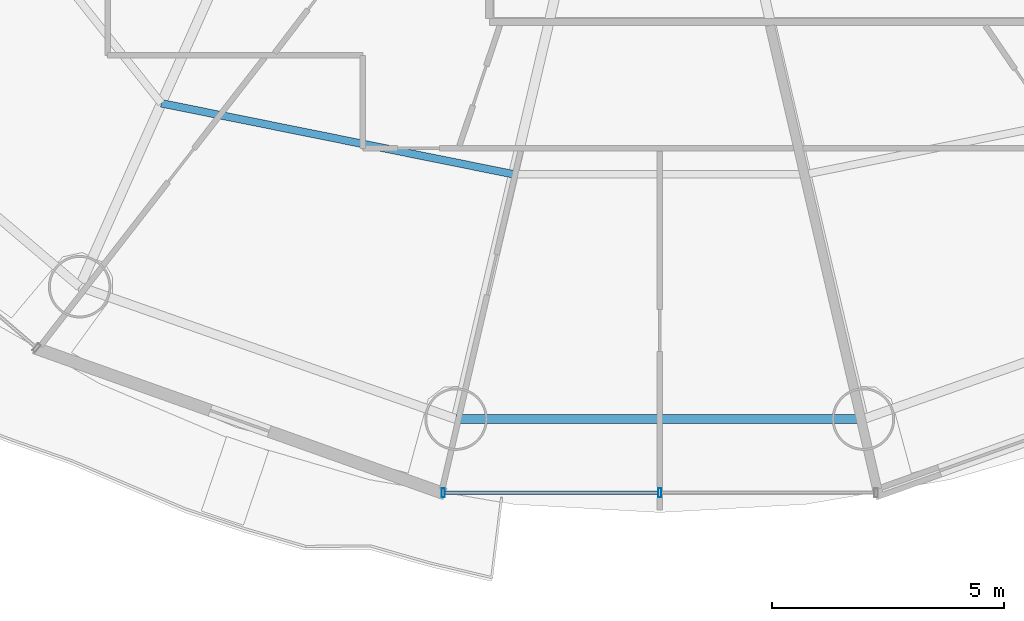
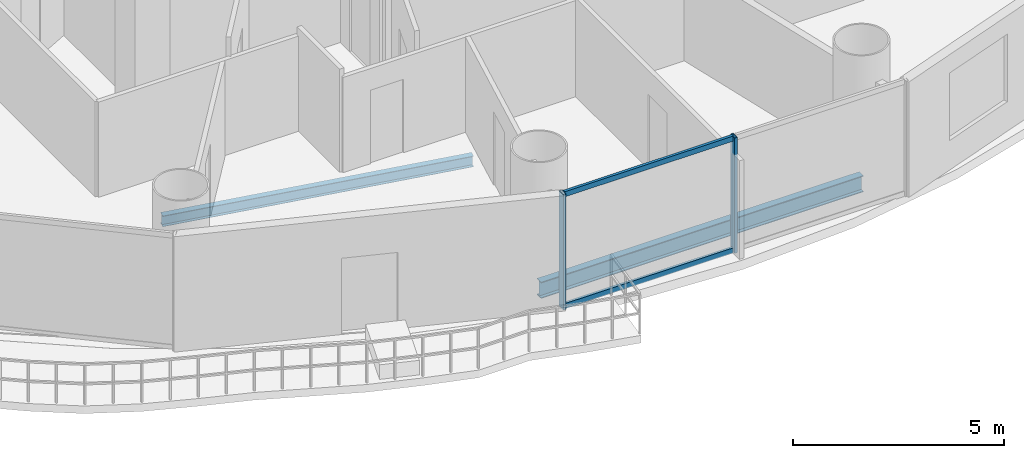
# One storey, part 4 of 26: 4 members, 2 beams, 1 element without a shape of its own.
"""IFC4 building model written with IfcOpenShell, lengths in metres."""

import ifcopenshell
import ifcopenshell.guid

model = None  # the IFC model being written
_history = None  # IfcOwnerHistory: only IFC2X3 demands one
_inside = {}  # id of a spatial element -> (the spatial element, [elements in it])
_under = {}  # id of a project, library or spatial element -> (it, [spatial elements below it])
_declared = {}  # id of a project -> (the project, [libraries it declares])
_typed = {}  # id of a type object -> (the type object, [elements of that type])
_made_of = {}  # id of a material, layer set ... -> (it, [elements and type objects made of it])


def new_model(schema):
    """Start an empty IFC model of exactly this schema.

    Asked for "IFC4X3", IfcOpenShell would pick the latest addendum, in which some entities
    have other attributes; the version numbers below select the first issue.
    IFC2X3 requires an IfcOwnerHistory on every rooted entity: one is made here for all.
    """
    global model, _history
    if schema == "IFC4X3":
        model = ifcopenshell.file(schema_version=(4, 3, 0, 0))
    else:
        model = ifcopenshell.file(schema=schema)
    _inside.clear()
    _under.clear()
    _declared.clear()
    _typed.clear()
    _made_of.clear()
    _history = None
    if model.schema == "IFC2X3":
        org = make("IfcOrganization", Name="unknown")
        user = make(
            "IfcPersonAndOrganization",
            ThePerson=make("IfcPerson", FamilyName="unknown"),
            TheOrganization=org,
        )
        app = make(
            "IfcApplication",
            ApplicationDeveloper=org,
            Version="unknown",
            ApplicationFullName="unknown",
            ApplicationIdentifier="unknown",
        )
        _history = make(
            "IfcOwnerHistory",
            OwningUser=user,
            OwningApplication=app,
            ChangeAction="ADDED",
            CreationDate=0,
        )
    return model


def make(cls, **values):
    """One entity of the class cls with the attributes given. An attribute that is None is left unset."""
    return model.create_entity(
        cls, **{name: value for name, value in values.items() if value is not None}
    )


def rooted(cls, **values):
    """An entity with a GlobalId (a new one), such as an element, a storey or a relation."""
    return make(cls, GlobalId=ifcopenshell.guid.new(), OwnerHistory=_history, **values)


def si_unit(unit_type, name, prefix=None):
    """IfcSIUnit, for example si_unit("LENGTHUNIT", "METRE", prefix="MILLI")."""
    return make("IfcSIUnit", UnitType=unit_type, Prefix=prefix, Name=name)


def assignment(units):
    """IfcUnitAssignment: the units of a project."""
    return None if units is None else make("IfcUnitAssignment", Units=units)


def point(xyz):
    """IfcCartesianPoint."""
    return None if xyz is None else make("IfcCartesianPoint", Coordinates=xyz)


def direction(xyz):
    """IfcDirection."""
    return None if xyz is None else make("IfcDirection", DirectionRatios=xyz)


def frame(location, z_axis=None, x_axis=None):
    """IfcAxis2Placement3D, a coordinate frame: its origin and axes. An axis left out is left unset."""
    return make(
        "IfcAxis2Placement3D",
        Location=point(location),
        Axis=direction(z_axis),
        RefDirection=direction(x_axis),
    )


def frame_2d(location, x_axis=None):
    """IfcAxis2Placement2D, a coordinate frame in the plane: its origin and x axis."""
    return make(
        "IfcAxis2Placement2D", Location=point(location), RefDirection=direction(x_axis)
    )


def origin():
    """The frame at (0, 0, 0) with its axes left unset."""
    return frame((0.0, 0.0, 0.0))


def origin_2d():
    """The frame at (0, 0) in the plane with its x axis left unset."""
    return frame_2d((0.0, 0.0))


def place(relative_to, where):
    """IfcLocalPlacement: puts the frame where relative to a parent placement (None: the world)."""
    return make(
        "IfcLocalPlacement", PlacementRelTo=relative_to, RelativePlacement=where
    )


def context(
    kind, dimensions, precision=None, world=None, true_north=None, identifier=None
):
    """IfcGeometricRepresentationContext, for example the 3D "Model" context."""
    return make(
        "IfcGeometricRepresentationContext",
        ContextIdentifier=identifier,
        ContextType=kind,
        CoordinateSpaceDimension=dimensions,
        Precision=precision,
        WorldCoordinateSystem=world,
        TrueNorth=true_north,
    )


def subcontext(parent, identifier, kind, view, scale=None):
    """IfcGeometricRepresentationSubContext, for example "Body" below "Model"."""
    return make(
        "IfcGeometricRepresentationSubContext",
        ContextIdentifier=identifier,
        ContextType=kind,
        ParentContext=parent,
        TargetScale=scale,
        TargetView=view,
    )


def project(units=None, contexts=None):
    """IfcProject with its units and contexts."""
    return rooted(
        "IfcProject",
        Name="project",
        RepresentationContexts=contexts,
        UnitsInContext=assignment(units),
    )


def spatial(cls, under=None, at=None, **own):
    """A site, building, storey or space (cls), placed at a placement, below another one or the project."""
    s = rooted(cls, ObjectPlacement=at, **own)
    if under is not None:
        _under.setdefault(under.id(), (under, []))[1].append(s)
    return s


def profile(cls, at=None, kind="AREA", **sizes):
    """A parametric profile (cls). Its sizes go by their IFC names, for example OverallWidth=200.0."""
    return make(cls, ProfileType=kind, Position=at, **sizes)


def hollow_rectangle(**sizes):
    """IfcRectangleHollowProfileDef."""
    return profile("IfcRectangleHollowProfileDef", **sizes)


def i_section(**sizes):
    """IfcIShapeProfileDef."""
    return profile("IfcIShapeProfileDef", **sizes)


def extrude(swept, where, along, depth):
    """IfcExtrudedAreaSolid: the profile swept, set in the frame where, extruded along a direction by depth."""
    return make(
        "IfcExtrudedAreaSolid",
        SweptArea=swept,
        Position=where,
        ExtrudedDirection=direction(along),
        Depth=depth,
    )


def shape(context_of_items, identifier, shape_type, items):
    """IfcShapeRepresentation: the items that make up one representation, for example the "Body"."""
    return make(
        "IfcShapeRepresentation",
        ContextOfItems=context_of_items,
        RepresentationIdentifier=identifier,
        RepresentationType=shape_type,
        Items=items,
    )


def source(mapping_origin, context_of_items, identifier, shape_type, items):
    """IfcRepresentationMap: a shape defined once, which mapped items show again and again."""
    return make(
        "IfcRepresentationMap",
        MappingOrigin=mapping_origin,
        MappedRepresentation=shape(context_of_items, identifier, shape_type, items),
    )


def transform(
    local_origin,
    x_axis=None,
    y_axis=None,
    z_axis=None,
    scale=None,
    scale2=None,
    scale3=None,
    uniform=True,
):
    """IfcCartesianTransformationOperator3D, or its non-uniform kind. x_axis, y_axis, z_axis: its Axis1, 2, 3."""
    if uniform:
        return make(
            "IfcCartesianTransformationOperator3D",
            Axis1=direction(x_axis),
            Axis2=direction(y_axis),
            LocalOrigin=point(local_origin),
            Scale=scale,
            Axis3=direction(z_axis),
        )
    return make(
        "IfcCartesianTransformationOperator3DnonUniform",
        Axis1=direction(x_axis),
        Axis2=direction(y_axis),
        LocalOrigin=point(local_origin),
        Scale=scale,
        Axis3=direction(z_axis),
        Scale2=scale2,
        Scale3=scale3,
    )


def mapped(mapping_source, mapping_target):
    """IfcMappedItem: shows the shape of a source again, moved by a transform."""
    return make(
        "IfcMappedItem", MappingSource=mapping_source, MappingTarget=mapping_target
    )


def material(Name=None, Category=None):
    """IfcMaterial."""
    return make("IfcMaterial", Name=Name, Category=Category)


def material_profile(
    of_material, cross_section, Name=None, Category=None, Priority=None
):
    """IfcMaterialProfile: a cross section and its material."""
    return make(
        "IfcMaterialProfile",
        Name=Name,
        Material=of_material,
        Profile=cross_section,
        Priority=Priority,
        Category=Category,
    )


def profile_set(profiles, Name=None, composite=None):
    """IfcMaterialProfileSet."""
    return make(
        "IfcMaterialProfileSet",
        Name=Name,
        MaterialProfiles=profiles,
        CompositeProfile=composite,
    )


def made_of(thing, what):
    """Note that an element or type object is made of a material, layer set ...; save() writes the relation."""
    if what is not None:
        _made_of.setdefault(what.id(), (what, []))[1].append(thing)
    return thing


def type_object(cls, material=None, **own):
    """A type object (cls), such as IfcWallType, which elements share."""
    return made_of(rooted(cls, **own), material)


def element(
    cls,
    number,
    at=None,
    inside=None,
    cuts=None,
    type_object=None,
    material=None,
    context=None,
    identifier="Body",
    shape_type=None,
    held_by="IfcProductDefinitionShape",
    body=None,
    shapes=None,
    **own,
):
    """One element of the class cls, such as IfcWall. Its Tag is "e" and its number.

    at: its placement. inside: the storey or other place that contains it. cuts: it is an
    opening in that element (IfcRelVoidsElement). A single representation is given by context,
    identifier, shape_type and body (its items); several are given by shapes. held_by: the class
    of the entity that holds the representations. save() writes the other relations.
    """
    e = rooted(cls, Tag="e%d" % number, ObjectPlacement=at, **own)
    if body is not None:
        shapes = [shape(context, identifier, shape_type, body)]
    if shapes is not None:
        e.Representation = make(held_by, Representations=shapes)
    if inside is not None:
        _inside.setdefault(inside.id(), (inside, []))[1].append(e)
    if cuts is not None:
        rooted(
            "IfcRelVoidsElement", RelatingBuildingElement=cuts, RelatedOpeningElement=e
        )
    if type_object is not None:
        _typed.setdefault(type_object.id(), (type_object, []))[1].append(e)
    return made_of(e, material)


def aggregate(whole, parts):
    """IfcRelAggregates: a whole, such as a stair, and the parts it consists of."""
    return rooted("IfcRelAggregates", RelatingObject=whole, RelatedObjects=parts)


def save(model, path):
    """Write the relations noted so far, then the file.

    IfcRelAggregates (storeys below a building ...), IfcRelContainedInSpatialStructure (elements
    in a storey), IfcRelDefinesByType, IfcRelAssociatesMaterial and IfcRelDeclares: one each for
    every whole, place, type object, material and project.
    """
    for whole, parts in _under.values():
        aggregate(whole, parts)
    for where, things in _inside.values():
        rooted(
            "IfcRelContainedInSpatialStructure",
            RelatedElements=things,
            RelatingStructure=where,
        )
    for kind, things in _typed.values():
        rooted("IfcRelDefinesByType", RelatedObjects=things, RelatingType=kind)
    for what, things in _made_of.values():
        rooted("IfcRelAssociatesMaterial", RelatedObjects=things, RelatingMaterial=what)
    for by, libraries in _declared.values():
        rooted("IfcRelDeclares", RelatingContext=by, RelatedDefinitions=libraries)
    model.write(path)


model = new_model("IFC4")

# Units and contexts
model_context = context("Model", 3, precision=1e-05, world=origin(), true_north=direction((-0.2419218956, 0.970295726276)))
body_context = subcontext(model_context, "Body", "Model", "MODEL_VIEW")
ifc_project = project(units=[si_unit("LENGTHUNIT", "METRE"), si_unit("AREAUNIT", "SQUARE_METRE"), si_unit("VOLUMEUNIT", "CUBIC_METRE"), si_unit("PLANEANGLEUNIT", "RADIAN"), si_unit("MASSUNIT", "GRAM", prefix="KILO")], contexts=[model_context])

# Site, building, storey
site_placement = place(None, origin())
site = spatial("IfcSite", under=ifc_project, at=site_placement, CompositionType="ELEMENT")
building_placement = place(site_placement, origin())
building = spatial("IfcBuilding", under=site, at=building_placement, Name="Cobrevalo Terracotta Tower", CompositionType="ELEMENT")
storey_placement = place(building_placement, frame((0.0, 0.0, 135.39990234375)))
storey = spatial("IfcBuildingStorey", under=building, at=storey_placement, Name="L35", CompositionType="ELEMENT", Elevation=135.39990234375)

# Beams
ifc_material_1 = material(Name="Steel S355", Category="steel")
ifc_material_profile_1 = material_profile(ifc_material_1, i_section(OverallWidth=0.1650390625, OverallDepth=0.31005859375, WebThickness=0.005859375, FlangeThickness=0.009765625, at=origin_2d()), Name="W 310x38.7")
ifc_profile_set_1 = profile_set([ifc_material_profile_1], Name="Steel S355")
beam_type_1 = type_object("IfcBeamType", Name="Structural Joist W 310x38.7 (Steel S355)", PredefinedType="JOIST", material=ifc_profile_set_1)
beam_1_placement = place(storey_placement, frame((27.23583984375, 14.838623046875, -0.4248046875), z_axis=(0.980293928329, -0.197544461026, 0.0), x_axis=(0.197544461026, 0.980293928329, 0.0)))
element("IfcBeam", 1, at=beam_1_placement, inside=storey, type_object=beam_type_1, Name="L35 circumferential secondary floor joist 11", PredefinedType="JOIST", context=body_context, shape_type="SweptSolid", body=[
    extrude(i_section(OverallWidth=0.1650390625, OverallDepth=0.31005859375, WebThickness=0.005859375, FlangeThickness=0.009765625, at=origin_2d()), origin(), (0.0, 0.0, 1.0), 7.75634765625),
])
ifc_material_profile_2 = material_profile(ifc_material_1, i_section(OverallWidth=0.194091796875, OverallDepth=0.468994140625, WebThickness=0.011474609375, FlangeThickness=0.0205078125, at=origin_2d()), Name="W 460x106")
ifc_profile_set_2 = profile_set([ifc_material_profile_2], Name="Steel S355")
beam_type_2 = type_object("IfcBeamType", Name="Structural Spandrel W 460x106 (Steel S355)", PredefinedType="SPANDREL", material=ifc_profile_set_2)
beam_2_placement = place(storey_placement, frame((33.600830078125, 8.01806640625, -0.50439453125), z_axis=(1.0, 0.0, 0.0), x_axis=(0.0, 1.0, 0.0)))
element("IfcBeam", 2, at=beam_2_placement, inside=storey, type_object=beam_type_2, Name="L35 perimeter ring spandrel 12", PredefinedType="SPANDREL", context=body_context, shape_type="SweptSolid", body=[
    extrude(i_section(OverallWidth=0.194091796875, OverallDepth=0.468994140625, WebThickness=0.011474609375, FlangeThickness=0.0205078125, at=origin_2d()), origin(), (0.0, 0.0, 1.0), 8.79833984375),
])

# Curtain wall, members
ifc_material_2 = material(Name="Anodized aluminium", Category="aluminium")
curtain_wall_type = type_object("IfcCurtainWallType", Name="Mid-tower high-wind unitised curtain wall CW-U2", PredefinedType="NOTDEFINED", material=ifc_material_2)
curtain_wall_placement = place(storey_placement, origin())
curtain_wall = element("IfcCurtainWall", 3, at=curtain_wall_placement, inside=storey, type_object=curtain_wall_type, Name="L35 curtain wall CW-L35-S12", PredefinedType="NOTDEFINED")
ifc_material_profile_3 = material_profile(ifc_material_2, hollow_rectangle(XDim=0.074951171875, YDim=0.199951171875, WallThickness=0.0048828125, at=origin_2d()), Name="CWM 75x200")
ifc_profile_set_3 = profile_set([ifc_material_profile_3], Name="Anodized aluminium")
member_type_1 = type_object("IfcMemberType", Name="Lower/mid tower unitised mullion 75x200", PredefinedType="MULLION", material=ifc_profile_set_3)
shared_shape_1 = source(origin(), body_context, "Body", "SweptSolid", [
    extrude(hollow_rectangle(XDim=0.074951171875, YDim=0.199951171875, WallThickness=0.0048828125, at=origin_2d()), origin(), (0.0, 0.0, 1.0), 3.330078125),
])
member_1_placement = place(storey_placement, frame((33.32470703125, 6.42919921875, 0.0), z_axis=(0.0, 0.0, 1.0), x_axis=(1.0, 0.0, 0.0)))
member_1 = element("IfcMember", 4, at=member_1_placement, type_object=member_type_1, Name="CW-L35-S12 vertical mullion 01", PredefinedType="MULLION", context=body_context, shape_type="MappedRepresentation", body=[
    mapped(shared_shape_1, transform((0.0, 0.0, 0.0), scale=1.0)),
])
member_2_placement = place(storey_placement, frame((38.0, 6.42919921875, 0.0), z_axis=(0.0, 0.0, 1.0), x_axis=(1.0, 0.0, 0.0)))
member_2 = element("IfcMember", 5, at=member_2_placement, type_object=member_type_1, Name="CW-L35-S12 vertical mullion 02", PredefinedType="MULLION", context=body_context, shape_type="MappedRepresentation", body=[
    mapped(shared_shape_1, transform((0.0, 0.0, 0.0), scale=1.0)),
])
ifc_material_profile_4 = material_profile(ifc_material_2, hollow_rectangle(XDim=0.074951171875, YDim=0.14990234375, WallThickness=0.00439453125, at=origin_2d()), Name="CWT 75x150")
ifc_profile_set_4 = profile_set([ifc_material_profile_4], Name="Anodized aluminium")
member_type_2 = type_object("IfcMemberType", Name="Tower unitised aluminium transom 75x150", PredefinedType="USERDEFINED", material=ifc_profile_set_4)
shared_shape_2 = source(origin(), body_context, "Body", "SweptSolid", [
    extrude(hollow_rectangle(XDim=0.074951171875, YDim=0.14990234375, WallThickness=0.00439453125, at=origin_2d()), origin(), (0.0, 0.0, 1.0), 4.59521484375),
])
member_3_placement = place(storey_placement, frame((33.36474609375, 6.42919921875, 0.050048828125), z_axis=(1.0, 0.0, 0.0), x_axis=(0.0, 1.0, 0.0)))
member_3 = element("IfcMember", 6, at=member_3_placement, type_object=member_type_2, Name="CW-L35-S12 transom B01-T1", ObjectType="TRANSOM", PredefinedType="USERDEFINED", context=body_context, shape_type="MappedRepresentation", body=[
    mapped(shared_shape_2, transform((0.0, 0.0, 0.0), scale=1.0)),
])
member_4_placement = place(storey_placement, frame((33.36474609375, 6.42919921875, 3.280029296875), z_axis=(1.0, 0.0, 0.0), x_axis=(0.0, 1.0, 0.0)))
member_4 = element("IfcMember", 7, at=member_4_placement, type_object=member_type_2, Name="CW-L35-S12 transom B01-T2", ObjectType="TRANSOM", PredefinedType="USERDEFINED", context=body_context, shape_type="MappedRepresentation", body=[
    mapped(shared_shape_2, transform((0.0, 0.0, 0.0), scale=1.0)),
])
aggregate(curtain_wall, [member_1, member_2, member_3, member_4])

save(model, "model.ifc")
